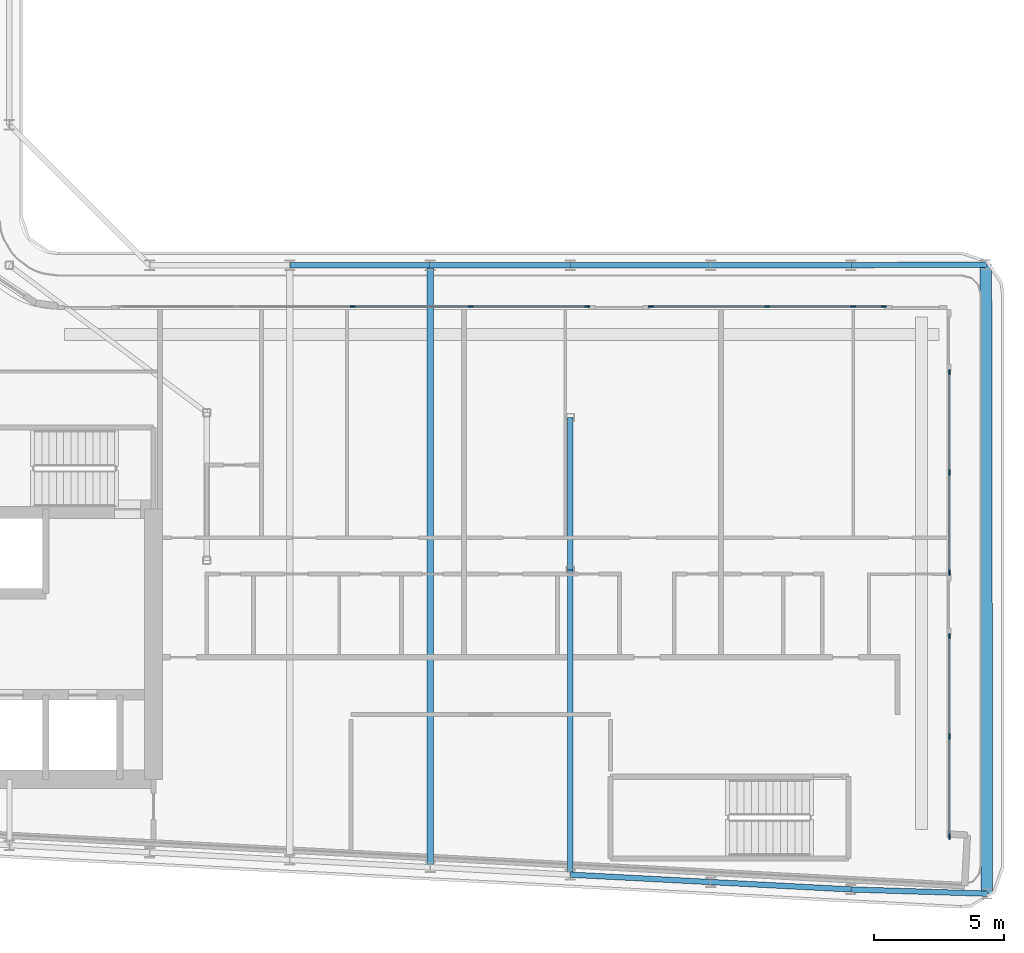
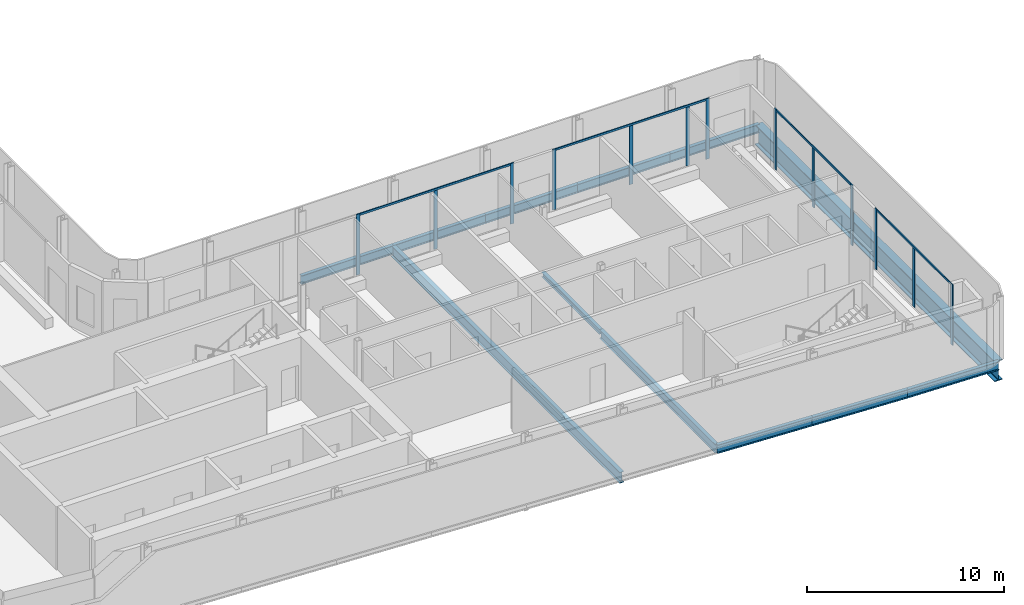
# One storey, part 5 of 21: 17 members, 12 beams, 5 elements without a shape of their own.
"""IFC4 building model written with IfcOpenShell, lengths in metres."""

from ifc_helpers import new_model, si_unit, direction, frame, origin, origin_2d, place, context, subcontext, project, spatial, rectangle, i_section, extrude, material, layer, layer_set, material_profile, profile_set, type_object, element, aggregate, save


model = new_model("IFC4")

# Units and contexts
model_context = context("Model", 3, precision=1e-05, world=origin(), true_north=direction((0.0, 1.0)))
body_context = subcontext(model_context, "Body", "Model", "MODEL_VIEW")
ifc_project = project(units=[si_unit("LENGTHUNIT", "METRE"), si_unit("AREAUNIT", "SQUARE_METRE"), si_unit("VOLUMEUNIT", "CUBIC_METRE"), si_unit("PLANEANGLEUNIT", "RADIAN"), si_unit("MASSUNIT", "GRAM", prefix="KILO")], contexts=[model_context])

# Site, building, storey
site_placement = place(None, origin())
site = spatial("IfcSite", under=ifc_project, at=site_placement, CompositionType="ELEMENT")
building_placement = place(site_placement, origin())
building = spatial("IfcBuilding", under=site, at=building_placement, Name="Kheshtan School and Residences Tower", CompositionType="ELEMENT")
storey_placement = place(building_placement, frame((0.0, 0.0, 231.800048828125)))
storey = spatial("IfcBuildingStorey", under=building, at=storey_placement, Name="L54", CompositionType="ELEMENT", Elevation=231.800048828125)

# Beams
ifc_material_1 = material(Name="Steel ASTM A992 Grade 50", Category="steel")
ifc_material_profile_1 = material_profile(ifc_material_1, i_section(OverallWidth=0.202880859375, OverallDepth=0.302978515625, WebThickness=0.007568359375, FlangeThickness=0.01318359375, FilletRadius=0.009033203125, at=origin_2d()), Name="W310x60")
ifc_profile_set_1 = profile_set([ifc_material_profile_1], Name="Steel ASTM A992 Grade 50")
beam_type_1 = type_object("IfcBeamType", Name="Beam FB1 W310x60 ASTM A992 Grade 50", PredefinedType="BEAM", material=ifc_profile_set_1)
beam_1_placement = place(storey_placement, frame((69.199951171875, 33.863037109375, -0.301513671875), z_axis=(0.0, 1.0, 0.0), x_axis=(-1.0, 0.0, 0.0)))
element("IfcBeam", 1, at=beam_1_placement, inside=storey, type_object=beam_type_1, Name="Floor beam IC", PredefinedType="BEAM", context=body_context, shape_type="SweptSolid", body=[
    extrude(i_section(OverallWidth=0.202880859375, OverallDepth=0.302978515625, WebThickness=0.007568359375, FlangeThickness=0.01318359375, FilletRadius=0.009033203125, at=origin_2d()), origin(), (0.0, 0.0, 1.0), 5.868896484375),
])
ifc_material_profile_2 = material_profile(ifc_material_1, i_section(OverallWidth=0.208984375, OverallDepth=0.532958984375, WebThickness=0.01025390625, FlangeThickness=0.015625, FilletRadius=0.013916015625, at=origin_2d()), Name="W530x92")
ifc_profile_set_2 = profile_set([ifc_material_profile_2], Name="Steel ASTM A992 Grade 50")
beam_type_2 = type_object("IfcBeamType", Name="Beam FB4 W530x92 ASTM A992 Grade 50", PredefinedType="BEAM", material=ifc_profile_set_2)
beam_2_placement = place(storey_placement, frame((69.199951171875, 22.126953125, -0.41650390625), z_axis=(0.0, 1.0, 0.0), x_axis=(-1.0, 0.0, 0.0)))
element("IfcBeam", 2, at=beam_2_placement, inside=storey, type_object=beam_type_2, Name="Floor beam C014", PredefinedType="BEAM", context=body_context, shape_type="SweptSolid", body=[
    extrude(i_section(OverallWidth=0.208984375, OverallDepth=0.532958984375, WebThickness=0.01025390625, FlangeThickness=0.015625, FilletRadius=0.013916015625, at=origin_2d()), origin(), (0.0, 0.0, 1.0), 11.736083984375),
])
ifc_material_profile_3 = material_profile(ifc_material_1, i_section(OverallWidth=0.2529296875, OverallDepth=0.677978515625, WebThickness=0.01171875, FlangeThickness=0.016357421875, FilletRadius=0.0146484375, at=origin_2d()), Name="W690x125")
ifc_profile_set_3 = profile_set([ifc_material_profile_3], Name="Steel ASTM A992 Grade 50")
beam_type_3 = type_object("IfcBeamType", Name="Beam FB6 W690x125 ASTM A992 Grade 50", PredefinedType="BEAM", material=ifc_profile_set_3)
beam_3_placement = place(storey_placement, frame((63.800048828125, 45.60009765625, -0.489013671875), z_axis=(0.0, -1.0, 0.0), x_axis=(1.0, 0.0, 0.0)))
element("IfcBeam", 3, at=beam_3_placement, inside=storey, type_object=beam_type_3, Name="Floor beam C063", PredefinedType="BEAM", context=body_context, shape_type="SweptSolid", body=[
    extrude(i_section(OverallWidth=0.2529296875, OverallDepth=0.677978515625, WebThickness=0.01171875, FlangeThickness=0.016357421875, FilletRadius=0.0146484375, at=origin_2d()), origin(), (0.0, 0.0, 1.0), 23.189208984375),
])
ifc_material_profile_4 = material_profile(ifc_material_1, i_section(OverallWidth=0.208984375, OverallDepth=0.532958984375, WebThickness=0.01025390625, FlangeThickness=0.015625, FilletRadius=0.013916015625, at=origin_2d()), Name="W530x92")
ifc_profile_set_4 = profile_set([ifc_material_profile_4], Name="Steel ASTM A992 Grade 50")
beam_type_4 = type_object("IfcBeamType", Name="Beam SP3 W530x92 ASTM A992 Grade 50", PredefinedType="BEAM", material=ifc_profile_set_4)
beam_4_placement = place(storey_placement, frame((58.39990234375, 45.60009765625, -0.41650390625), z_axis=(1.0, 0.0, 0.0), x_axis=(0.0, 1.0, 0.0)))
element("IfcBeam", 4, at=beam_4_placement, inside=storey, type_object=beam_type_4, Name="Spandrel beam C062-C063", PredefinedType="BEAM", context=body_context, shape_type="SweptSolid", body=[
    extrude(i_section(OverallWidth=0.208984375, OverallDepth=0.532958984375, WebThickness=0.01025390625, FlangeThickness=0.015625, FilletRadius=0.013916015625, at=origin_2d()), origin(), (0.0, 0.0, 1.0), 5.400146484375),
])
beam_5_placement = place(storey_placement, frame((63.800048828125, 45.60009765625, -0.41650390625), z_axis=(1.0, 0.0, 0.0), x_axis=(0.0, 1.0, 0.0)))
element("IfcBeam", 5, at=beam_5_placement, inside=storey, type_object=beam_type_4, Name="Spandrel beam C063-C064", PredefinedType="BEAM", context=body_context, shape_type="SweptSolid", body=[
    extrude(i_section(OverallWidth=0.208984375, OverallDepth=0.532958984375, WebThickness=0.01025390625, FlangeThickness=0.015625, FilletRadius=0.013916015625, at=origin_2d()), origin(), (0.0, 0.0, 1.0), 5.39990234375),
])
beam_6_placement = place(storey_placement, frame((69.199951171875, 45.60009765625, -0.41650390625), z_axis=(1.0, 0.0, 0.0), x_axis=(0.0, 1.0, 0.0)))
element("IfcBeam", 6, at=beam_6_placement, inside=storey, type_object=beam_type_4, Name="Spandrel beam C064-C065", PredefinedType="BEAM", context=body_context, shape_type="SweptSolid", body=[
    extrude(i_section(OverallWidth=0.208984375, OverallDepth=0.532958984375, WebThickness=0.01025390625, FlangeThickness=0.015625, FilletRadius=0.013916015625, at=origin_2d()), origin(), (0.0, 0.0, 1.0), 5.400146484375),
])
beam_7_placement = place(storey_placement, frame((74.60009765625, 45.60009765625, -0.41650390625), z_axis=(1.0, 0.0, 0.0), x_axis=(0.0, 1.0, 0.0)))
element("IfcBeam", 7, at=beam_7_placement, inside=storey, type_object=beam_type_4, Name="Spandrel beam C065-C066", PredefinedType="BEAM", context=body_context, shape_type="SweptSolid", body=[
    extrude(i_section(OverallWidth=0.208984375, OverallDepth=0.532958984375, WebThickness=0.01025390625, FlangeThickness=0.015625, FilletRadius=0.013916015625, at=origin_2d()), origin(), (0.0, 0.0, 1.0), 5.39990234375),
])
beam_8_placement = place(storey_placement, frame((80.0, 45.60009765625, -0.41650390625), z_axis=(0.999994754544, 0.003238963435, 0.0), x_axis=(-0.003238963435, 0.999994754544, 0.0)))
element("IfcBeam", 8, at=beam_8_placement, inside=storey, type_object=beam_type_4, Name="Spandrel beam C066-C074", PredefinedType="BEAM", context=body_context, shape_type="SweptSolid", body=[
    extrude(i_section(OverallWidth=0.208984375, OverallDepth=0.532958984375, WebThickness=0.01025390625, FlangeThickness=0.015625, FilletRadius=0.013916015625, at=origin_2d()), origin(), (0.0, 0.0, 1.0), 5.200927734375),
])
beam_9_placement = place(storey_placement, frame((85.240966796875, 21.39501953125, -0.41650390625), z_axis=(-0.999516201006, 0.031102474602, 0.0), x_axis=(-0.031102474602, -0.999516201006, 0.0)))
element("IfcBeam", 9, at=beam_9_placement, inside=storey, type_object=beam_type_4, Name="Spandrel beam C010-C012", PredefinedType="BEAM", context=body_context, shape_type="SweptSolid", body=[
    extrude(i_section(OverallWidth=0.208984375, OverallDepth=0.532958984375, WebThickness=0.01025390625, FlangeThickness=0.015625, FilletRadius=0.013916015625, at=origin_2d()), origin(), (0.0, 0.0, 1.0), 5.243408203125),
])
beam_10_placement = place(storey_placement, frame((80.0, 21.55810546875, -0.41650390625), z_axis=(-0.998610961136, 0.052689166816, 0.0), x_axis=(-0.052689166816, -0.998610961136, 0.0)))
element("IfcBeam", 10, at=beam_10_placement, inside=storey, type_object=beam_type_4, Name="Spandrel beam C012-C013", PredefinedType="BEAM", context=body_context, shape_type="SweptSolid", body=[
    extrude(i_section(OverallWidth=0.208984375, OverallDepth=0.532958984375, WebThickness=0.01025390625, FlangeThickness=0.015625, FilletRadius=0.013916015625, at=origin_2d()), origin(), (0.0, 0.0, 1.0), 5.407470703125),
])
beam_11_placement = place(storey_placement, frame((74.60009765625, 21.843017578125, -0.41650390625), z_axis=(-0.998620571751, 0.05250670125, 0.0), x_axis=(-0.05250670125, -0.998620571751, 0.0)))
element("IfcBeam", 11, at=beam_11_placement, inside=storey, type_object=beam_type_4, Name="Spandrel beam C013-C014", PredefinedType="BEAM", context=body_context, shape_type="SweptSolid", body=[
    extrude(i_section(OverallWidth=0.208984375, OverallDepth=0.532958984375, WebThickness=0.01025390625, FlangeThickness=0.015625, FilletRadius=0.013916015625, at=origin_2d()), origin(), (0.0, 0.0, 1.0), 5.40771484375),
])

# Curtain wall, member
ifc_material_2 = material(Name="Clear low-e glass in thermally broken aluminium frame", Category="aluminium")
ifc_layer = layer(ifc_material_2, 0.199951171875)
ifc_layer_set = layer_set([ifc_layer], Name="Curtain wall CW-L")
curtain_wall_type = type_object("IfcCurtainWallType", Name="Curtain wall CW-L", PredefinedType="NOTDEFINED", material=ifc_layer_set)
curtain_wall_1_placement = place(storey_placement, origin())
curtain_wall_1 = element("IfcCurtainWall", 12, at=curtain_wall_1_placement, inside=storey, type_object=curtain_wall_type, Name="Curtain wall CWL8n", PredefinedType="NOTDEFINED")
ifc_material_3 = material(Name="Thermally broken aluminium, dark bronze anodised", Category="aluminium")
ifc_material_profile_5 = material_profile(ifc_material_3, rectangle(XDim=0.06005859375, YDim=0.199951171875, at=origin_2d()), Name="CW-L mullion 60x200")
ifc_profile_set_5 = profile_set([ifc_material_profile_5], Name="Thermally broken aluminium, dark bronze anodised")
member_type_1 = type_object("IfcMemberType", Name="CW-L mullion 60x200", PredefinedType="MULLION", material=ifc_profile_set_5)
member_1_placement = place(storey_placement, frame((60.8232421875, 44.0, 0.0), z_axis=(0.0, 0.0, 1.0), x_axis=(0.0, 1.0, 0.0)))
member_1 = element("IfcMember", 13, at=member_1_placement, type_object=member_type_1, Name="CWL8n mullion 3", PredefinedType="MULLION", context=body_context, shape_type="SweptSolid", body=[
    extrude(rectangle(XDim=0.06005859375, YDim=0.199951171875, at=origin_2d()), origin(), (0.0, 0.0, 1.0), 3.75),
])
aggregate(curtain_wall_1, [member_1])

# Curtain wall, members
curtain_wall_2_placement = place(storey_placement, origin())
curtain_wall_2 = element("IfcCurtainWall", 14, at=curtain_wall_2_placement, inside=storey, type_object=curtain_wall_type, Name="Curtain wall CWL8n", PredefinedType="NOTDEFINED")
member_2_placement = place(storey_placement, frame((65.364990234375, 44.0, 0.0), z_axis=(0.0, 0.0, 1.0), x_axis=(0.0, 1.0, 0.0)))
member_2 = element("IfcMember", 15, at=member_2_placement, type_object=member_type_1, Name="CWL8n mullion 2", PredefinedType="MULLION", context=body_context, shape_type="SweptSolid", body=[
    extrude(rectangle(XDim=0.06005859375, YDim=0.199951171875, at=origin_2d()), origin(), (0.0, 0.0, 1.0), 3.6298828125),
])
member_3_placement = place(storey_placement, frame((69.8466796875, 44.0, 0.0), z_axis=(0.0, 0.0, 1.0), x_axis=(0.0, 1.0, 0.0)))
member_3 = element("IfcMember", 16, at=member_3_placement, type_object=member_type_1, Name="CWL8n mullion 3", PredefinedType="MULLION", context=body_context, shape_type="SweptSolid", body=[
    extrude(rectangle(XDim=0.06005859375, YDim=0.199951171875, at=origin_2d()), origin(), (0.0, 0.0, 1.0), 3.75),
])

curtain_wall_3_placement = place(storey_placement, origin())
curtain_wall_3 = element("IfcCurtainWall", 17, at=curtain_wall_3_placement, inside=storey, type_object=curtain_wall_type, Name="Curtain wall CWL8o", PredefinedType="NOTDEFINED")
member_4_placement = place(storey_placement, frame((72.306640625, 44.0, 0.0), z_axis=(0.0, 0.0, 1.0), x_axis=(0.0, 1.0, 0.0)))
member_4 = element("IfcMember", 18, at=member_4_placement, type_object=member_type_1, Name="CWL8o mullion 1", PredefinedType="MULLION", context=body_context, shape_type="SweptSolid", body=[
    extrude(rectangle(XDim=0.06005859375, YDim=0.199951171875, at=origin_2d()), origin(), (0.0, 0.0, 1.0), 3.75),
])
member_5_placement = place(storey_placement, frame((76.788330078125, 44.0, 0.0), z_axis=(0.0, 0.0, 1.0), x_axis=(0.0, 1.0, 0.0)))
member_5 = element("IfcMember", 19, at=member_5_placement, type_object=member_type_1, Name="CWL8o mullion 2", PredefinedType="MULLION", context=body_context, shape_type="SweptSolid", body=[
    extrude(rectangle(XDim=0.06005859375, YDim=0.199951171875, at=origin_2d()), origin(), (0.0, 0.0, 1.0), 3.6298828125),
])
member_6_placement = place(storey_placement, frame((80.099853515625, 44.0, 0.0), z_axis=(0.0, 0.0, 1.0), x_axis=(0.0, 1.0, 0.0)))
member_6 = element("IfcMember", 20, at=member_6_placement, type_object=member_type_1, Name="CWL8o mullion 3", PredefinedType="MULLION", context=body_context, shape_type="SweptSolid", body=[
    extrude(rectangle(XDim=0.06005859375, YDim=0.199951171875, at=origin_2d()), origin(), (0.0, 0.0, 1.0), 3.6298828125),
])
member_7_placement = place(storey_placement, frame((81.27001953125, 44.0, 0.0), z_axis=(0.0, 0.0, 1.0), x_axis=(0.0, 1.0, 0.0)))
member_7 = element("IfcMember", 21, at=member_7_placement, type_object=member_type_1, Name="CWL8o mullion 4", PredefinedType="MULLION", context=body_context, shape_type="SweptSolid", body=[
    extrude(rectangle(XDim=0.06005859375, YDim=0.199951171875, at=origin_2d()), origin(), (0.0, 0.0, 1.0), 3.75),
])

curtain_wall_4_placement = place(storey_placement, origin())
curtain_wall_4 = element("IfcCurtainWall", 22, at=curtain_wall_4_placement, inside=storey, type_object=curtain_wall_type, Name="Curtain wall CWL9a", PredefinedType="NOTDEFINED")
member_8_placement = place(storey_placement, frame((83.800048828125, 41.469970703125, 0.0), z_axis=(0.0, 0.0, 1.0), x_axis=(1.0, 0.0, 0.0)))
member_8 = element("IfcMember", 23, at=member_8_placement, type_object=member_type_1, Name="CWL9a mullion 1", PredefinedType="MULLION", context=body_context, shape_type="SweptSolid", body=[
    extrude(rectangle(XDim=0.06005859375, YDim=0.199951171875, at=origin_2d()), origin(), (0.0, 0.0, 1.0), 3.75),
])
member_9_placement = place(storey_placement, frame((83.800048828125, 37.61669921875, 0.0), z_axis=(0.0, 0.0, 1.0), x_axis=(1.0, 0.0, 0.0)))
member_9 = element("IfcMember", 24, at=member_9_placement, type_object=member_type_1, Name="CWL9a mullion 2", PredefinedType="MULLION", context=body_context, shape_type="SweptSolid", body=[
    extrude(rectangle(XDim=0.06005859375, YDim=0.199951171875, at=origin_2d()), origin(), (0.0, 0.0, 1.0), 3.6298828125),
])
member_10_placement = place(storey_placement, frame((83.800048828125, 33.763427734375, 0.0), z_axis=(0.0, 0.0, 1.0), x_axis=(1.0, 0.0, 0.0)))
member_10 = element("IfcMember", 25, at=member_10_placement, type_object=member_type_1, Name="CWL9a mullion 3", PredefinedType="MULLION", context=body_context, shape_type="SweptSolid", body=[
    extrude(rectangle(XDim=0.06005859375, YDim=0.199951171875, at=origin_2d()), origin(), (0.0, 0.0, 1.0), 3.75),
])

curtain_wall_5_placement = place(storey_placement, origin())
curtain_wall_5 = element("IfcCurtainWall", 26, at=curtain_wall_5_placement, inside=storey, type_object=curtain_wall_type, Name="Curtain wall CWL9a", PredefinedType="NOTDEFINED")
member_11_placement = place(storey_placement, frame((83.800048828125, 31.303466796875, 0.0), z_axis=(0.0, 0.0, 1.0), x_axis=(1.0, 0.0, 0.0)))
member_11 = element("IfcMember", 27, at=member_11_placement, type_object=member_type_1, Name="CWL9a mullion 1", PredefinedType="MULLION", context=body_context, shape_type="SweptSolid", body=[
    extrude(rectangle(XDim=0.06005859375, YDim=0.199951171875, at=origin_2d()), origin(), (0.0, 0.0, 1.0), 3.75),
])
member_12_placement = place(storey_placement, frame((83.800048828125, 27.4501953125, 0.0), z_axis=(0.0, 0.0, 1.0), x_axis=(1.0, 0.0, 0.0)))
member_12 = element("IfcMember", 28, at=member_12_placement, type_object=member_type_1, Name="CWL9a mullion 2", PredefinedType="MULLION", context=body_context, shape_type="SweptSolid", body=[
    extrude(rectangle(XDim=0.06005859375, YDim=0.199951171875, at=origin_2d()), origin(), (0.0, 0.0, 1.0), 3.6298828125),
])
member_13_placement = place(storey_placement, frame((83.800048828125, 23.596923828125, 0.0), z_axis=(0.0, 0.0, 1.0), x_axis=(1.0, 0.0, 0.0)))
member_13 = element("IfcMember", 29, at=member_13_placement, type_object=member_type_1, Name="CWL9a mullion 3", PredefinedType="MULLION", context=body_context, shape_type="SweptSolid", body=[
    extrude(rectangle(XDim=0.06005859375, YDim=0.199951171875, at=origin_2d()), origin(), (0.0, 0.0, 1.0), 3.75),
])

# Member
ifc_material_profile_6 = material_profile(ifc_material_3, rectangle(XDim=0.06005859375, YDim=0.1201171875, at=origin_2d()), Name="CW-L transom 60x120")
ifc_profile_set_6 = profile_set([ifc_material_profile_6], Name="Thermally broken aluminium, dark bronze anodised")
member_type_2 = type_object("IfcMemberType", Name="CW-L transom 60x120", PredefinedType="USERDEFINED", material=ifc_profile_set_6)
member_14_placement = place(storey_placement, frame((60.853271484375, 44.0, 3.68994140625), z_axis=(1.0, 0.0, 0.0), x_axis=(0.0, 1.0, 0.0)))
member_14 = element("IfcMember", 30, at=member_14_placement, type_object=member_type_2, Name="CWL8n transom 1", ObjectType="TRANSOM", PredefinedType="USERDEFINED", context=body_context, shape_type="SweptSolid", body=[
    extrude(rectangle(XDim=0.06005859375, YDim=0.1201171875, at=origin_2d()), origin(), (0.0, 0.0, 1.0), 8.96337890625),
])

aggregate(curtain_wall_2, [member_2, member_3, member_14])

member_15_placement = place(storey_placement, frame((72.336669921875, 44.0, 3.68994140625), z_axis=(1.0, 0.0, 0.0), x_axis=(0.0, 1.0, 0.0)))
member_15 = element("IfcMember", 31, at=member_15_placement, type_object=member_type_2, Name="CWL8o transom 1", ObjectType="TRANSOM", PredefinedType="USERDEFINED", context=body_context, shape_type="SweptSolid", body=[
    extrude(rectangle(XDim=0.06005859375, YDim=0.1201171875, at=origin_2d()), origin(), (0.0, 0.0, 1.0), 8.9033203125),
])

aggregate(curtain_wall_3, [member_4, member_5, member_6, member_7, member_15])

member_16_placement = place(storey_placement, frame((83.800048828125, 41.43994140625, 3.68994140625), z_axis=(0.0, -1.0, 0.0), x_axis=(1.0, 0.0, 0.0)))
member_16 = element("IfcMember", 32, at=member_16_placement, type_object=member_type_2, Name="CWL9a transom 1", ObjectType="TRANSOM", PredefinedType="USERDEFINED", context=body_context, shape_type="SweptSolid", body=[
    extrude(rectangle(XDim=0.06005859375, YDim=0.1201171875, at=origin_2d()), origin(), (0.0, 0.0, 1.0), 7.646484375),
])

aggregate(curtain_wall_4, [member_8, member_9, member_10, member_16])

member_17_placement = place(storey_placement, frame((83.800048828125, 31.2734375, 3.68994140625), z_axis=(0.0, -1.0, 0.0), x_axis=(1.0, 0.0, 0.0)))
member_17 = element("IfcMember", 33, at=member_17_placement, type_object=member_type_2, Name="CWL9a transom 1", ObjectType="TRANSOM", PredefinedType="USERDEFINED", context=body_context, shape_type="SweptSolid", body=[
    extrude(rectangle(XDim=0.06005859375, YDim=0.1201171875, at=origin_2d()), origin(), (0.0, 0.0, 1.0), 7.646484375),
])

aggregate(curtain_wall_5, [member_11, member_12, member_13, member_17])

# Beam
ifc_material_profile_7 = material_profile(ifc_material_1, i_section(OverallWidth=0.449951171875, OverallDepth=1.25, WebThickness=0.02490234375, FlangeThickness=0.044921875, FilletRadius=0.03759765625, at=origin_2d()), Name="WWF1250x546")
ifc_profile_set_7 = profile_set([ifc_material_profile_7], Name="Steel ASTM A992 Grade 50")
beam_type_5 = type_object("IfcBeamType", Name="Transfer girder TG4 WWF1250x546 ASTM A992 Grade 50", PredefinedType="BEAM", material=ifc_profile_set_7)
beam_12_placement = place(storey_placement, frame((85.200927734375, 45.616943359375, -0.775146484375), z_axis=(0.001653006924, -0.999998633783, 0.0), x_axis=(0.999998633783, 0.001653006924, 0.0)))
element("IfcBeam", 34, at=beam_12_placement, inside=storey, type_object=beam_type_5, Name="Transfer girder C074-C010", PredefinedType="BEAM", context=body_context, shape_type="SweptSolid", body=[
    extrude(i_section(OverallWidth=0.449951171875, OverallDepth=1.25, WebThickness=0.02490234375, FlangeThickness=0.044921875, FilletRadius=0.03759765625, at=origin_2d()), origin(), (0.0, 0.0, 1.0), 24.221923828125),
])

save(model, "model.ifc")
